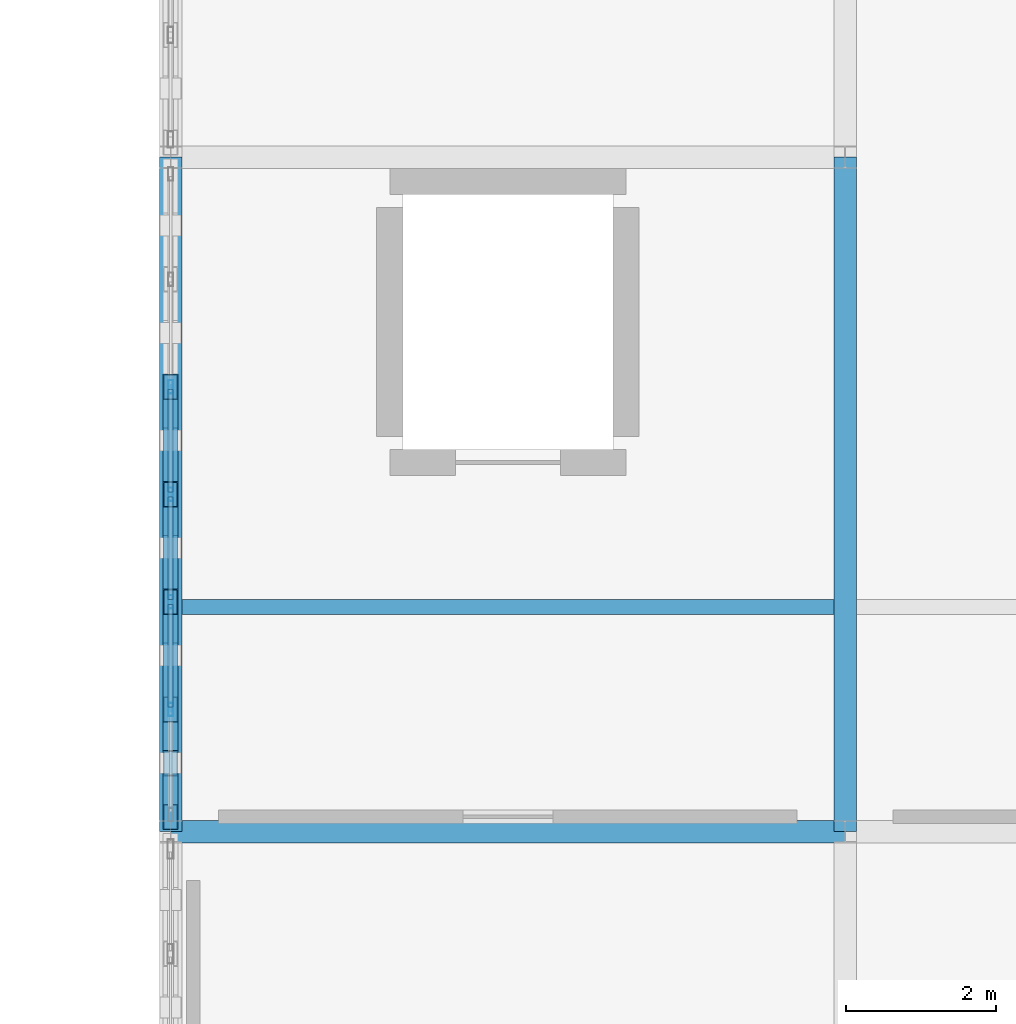
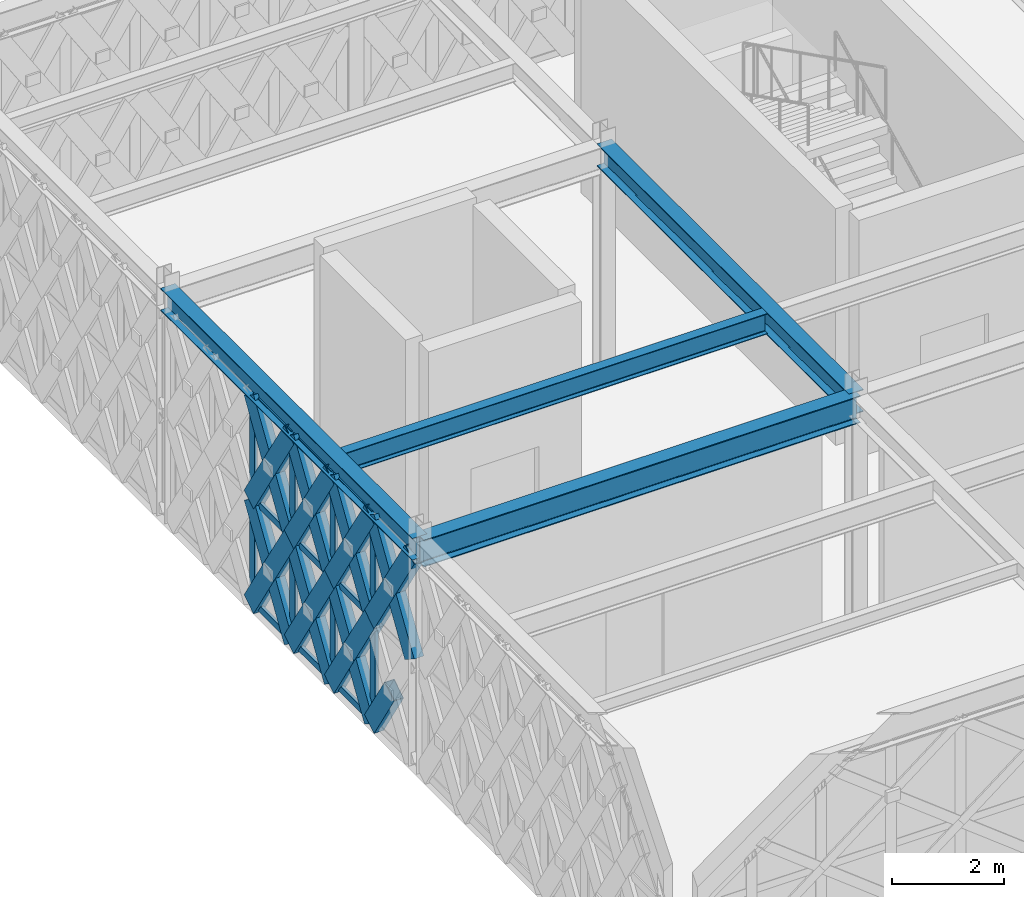
# One storey, part 79 of 155: 35 members, 4 beams, 1 element without a shape of its own.
"""IFC4 building model written with IfcOpenShell, lengths in metres."""

from ifc_helpers import new_model, si_unit, direction, frame, origin, origin_2d, place, context, subcontext, project, spatial, hollow_rectangle, i_section, extrude, material, material_profile, profile_set, type_object, element, aggregate, save


model = new_model("IFC4")

# Units and contexts
model_context = context("Model", 3, precision=1e-05, world=origin(), true_north=direction((0.0, 1.0)))
body_context = subcontext(model_context, "Body", "Model", "MODEL_VIEW")
ifc_project = project(units=[si_unit("LENGTHUNIT", "METRE"), si_unit("AREAUNIT", "SQUARE_METRE"), si_unit("VOLUMEUNIT", "CUBIC_METRE"), si_unit("PLANEANGLEUNIT", "RADIAN"), si_unit("MASSUNIT", "GRAM", prefix="KILO")], contexts=[model_context])

# Site, building, storey
site_placement = place(None, origin())
site = spatial("IfcSite", under=ifc_project, at=site_placement, CompositionType="ELEMENT")
building_placement = place(site_placement, origin())
building = spatial("IfcBuilding", under=site, at=building_placement, Name="Haizhuo Lancet Aquarium", CompositionType="ELEMENT")
storey_placement = place(building_placement, frame((0.0, 0.0, 10.800048828125)))
storey = spatial("IfcBuildingStorey", under=building, at=storey_placement, Name="L02", CompositionType="ELEMENT", Elevation=10.800048828125)

# Beams
ifc_material_1 = material(Name="Steel S355", Category="steel")
ifc_material_profile_1 = material_profile(ifc_material_1, i_section(OverallWidth=0.300048828125, OverallDepth=0.488037109375, WebThickness=0.010986328125, FlangeThickness=0.01806640625, FilletRadius=0.02392578125, at=origin_2d()), Name="HM 488x300x11x18")
ifc_profile_set_1 = profile_set([ifc_material_profile_1], Name="Steel S355")
beam_type_1 = type_object("IfcBeamType", Name="BM-ST-HM488", PredefinedType="BEAM", material=ifc_profile_set_1)
for number, where, z_axis, x_axis, name in (
    (1, (36.0, 18.0, 4.805908203125), (0.0, 1.0, 0.0), (-1.0, 0.0, 0.0), "L02 V7 primary girder BM-L02-V7-003"),
    (2, (45.0, 18.0, 4.805908203125), (0.0, 1.0, 0.0), (-1.0, 0.0, 0.0), "L02 V7 primary girder BM-L02-V7-010"),
):
    element("IfcBeam", number, at=place(storey_placement, frame(where, z_axis=z_axis, x_axis=x_axis)), inside=storey, type_object=beam_type_1, Name=name, PredefinedType="BEAM", context=body_context, shape_type="SweptSolid", body=[
        extrude(i_section(OverallWidth=0.300048828125, OverallDepth=0.488037109375, WebThickness=0.010986328125, FlangeThickness=0.01806640625, FilletRadius=0.02392578125, at=origin_2d()), origin(), (0.0, 0.0, 1.0), 9.0),
    ])
ifc_material_profile_2 = material_profile(ifc_material_1, i_section(OverallWidth=0.300048828125, OverallDepth=0.587890625, WebThickness=0.011962890625, FlangeThickness=0.02001953125, FilletRadius=0.02587890625, at=origin_2d()), Name="HM 588x300x12x20")
ifc_profile_set_2 = profile_set([ifc_material_profile_2], Name="Steel S355")
beam_type_2 = type_object("IfcBeamType", Name="BM-ST-HM588", PredefinedType="BEAM", material=ifc_profile_set_2)
beam_1_placement = place(storey_placement, frame((36.0, 18.0, 4.755859375), z_axis=(1.0, 0.0, 0.0), x_axis=(0.0, 1.0, 0.0)))
element("IfcBeam", 3, at=beam_1_placement, inside=storey, type_object=beam_type_2, Name="L02 V7 primary girder BM-L02-V7-004", PredefinedType="BEAM", context=body_context, shape_type="SweptSolid", body=[
    extrude(i_section(OverallWidth=0.300048828125, OverallDepth=0.587890625, WebThickness=0.011962890625, FlangeThickness=0.02001953125, FilletRadius=0.02587890625, at=origin_2d()), origin(), (0.0, 0.0, 1.0), 9.0),
])

# Curtain wall, members
ifc_material_2 = material(Name="Aluminium 6063-T6", Category="aluminium")
curtain_wall_type = type_object("IfcCurtainWallType", Name="CWD-8610x4560", PredefinedType="NOTDEFINED", material=ifc_material_2)
curtain_wall_placement = place(storey_placement, origin())
curtain_wall = element("IfcCurtainWall", 4, at=curtain_wall_placement, inside=storey, type_object=curtain_wall_type, Name="L02 curtain wall CW-V7-L02-310", PredefinedType="NOTDEFINED")
ifc_material_profile_3 = material_profile(ifc_material_2, hollow_rectangle(XDim=0.06494140625, YDim=0.179931640625, WallThickness=0.00390625, at=origin_2d()), Name="ALU-M 65x180x4")
ifc_profile_set_3 = profile_set([ifc_material_profile_3], Name="Aluminium 6063-T6")
member_type_1 = type_object("IfcMemberType", Name="CW-MUL-1", PredefinedType="MULLION", material=ifc_profile_set_3)
member_1_placement = place(storey_placement, frame((36.0, 19.6298828125, 0.0), z_axis=(0.0, 0.0, 1.0), x_axis=(-1.0, 0.0, 0.0)))
member_1 = element("IfcMember", 5, at=member_1_placement, type_object=member_type_1, Name="CWD-86x45 mullion 2", PredefinedType="MULLION", context=body_context, shape_type="SweptSolid", body=[
    extrude(hollow_rectangle(XDim=0.06494140625, YDim=0.179931640625, WallThickness=0.00390625, at=origin_2d()), origin(), (0.0, 0.0, 1.0), 4.56201171875),
])
member_2_placement = place(storey_placement, frame((36.0, 21.06494140625, 0.0), z_axis=(0.0, 0.0, 1.0), x_axis=(-1.0, 0.0, 0.0)))
member_2 = element("IfcMember", 6, at=member_2_placement, type_object=member_type_1, Name="CWD-86x45 mullion 3", PredefinedType="MULLION", context=body_context, shape_type="SweptSolid", body=[
    extrude(hollow_rectangle(XDim=0.06494140625, YDim=0.179931640625, WallThickness=0.00390625, at=origin_2d()), origin(), (0.0, 0.0, 1.0), 4.56201171875),
])
member_3_placement = place(storey_placement, frame((36.0, 22.5, 0.0), z_axis=(0.0, 0.0, 1.0), x_axis=(-1.0, 0.0, 0.0)))
member_3 = element("IfcMember", 7, at=member_3_placement, type_object=member_type_1, Name="CWD-86x45 mullion 4", PredefinedType="MULLION", context=body_context, shape_type="SweptSolid", body=[
    extrude(hollow_rectangle(XDim=0.06494140625, YDim=0.179931640625, WallThickness=0.00390625, at=origin_2d()), origin(), (0.0, 0.0, 1.0), 4.56201171875),
])
member_4_placement = place(storey_placement, frame((36.0, 23.93505859375, 0.0), z_axis=(0.0, 0.0, 1.0), x_axis=(-1.0, 0.0, 0.0)))
member_4 = element("IfcMember", 8, at=member_4_placement, type_object=member_type_1, Name="CWD-86x45 mullion 5", PredefinedType="MULLION", context=body_context, shape_type="SweptSolid", body=[
    extrude(hollow_rectangle(XDim=0.06494140625, YDim=0.179931640625, WallThickness=0.00390625, at=origin_2d()), origin(), (0.0, 0.0, 1.0), 4.56201171875),
])
ifc_material_profile_4 = material_profile(ifc_material_2, hollow_rectangle(XDim=0.06494140625, YDim=0.139892578125, WallThickness=0.00390625, at=origin_2d()), Name="ALU-T 65x140x4")
ifc_profile_set_4 = profile_set([ifc_material_profile_4], Name="Aluminium 6063-T6")
member_type_2 = type_object("IfcMemberType", Name="CW-TRN-1", PredefinedType="NOTDEFINED", material=ifc_profile_set_4)
member_5_placement = place(storey_placement, frame((36.0, 19.6630859375, 0.032958984375), z_axis=(0.0, 1.0, 0.0), x_axis=(-1.0, 0.0, 0.0)))
member_5 = element("IfcMember", 9, at=member_5_placement, type_object=member_type_2, Name="CWD-86x45 transom 2.1", ObjectType="TRANSOM", PredefinedType="USERDEFINED", context=body_context, shape_type="SweptSolid", body=[
    extrude(hollow_rectangle(XDim=0.06494140625, YDim=0.139892578125, WallThickness=0.00390625, at=origin_2d()), origin(), (0.0, 0.0, 1.0), 1.368896484375),
])
member_6_placement = place(storey_placement, frame((36.0, 19.6630859375, 2.281005859375), z_axis=(0.0, 1.0, 0.0), x_axis=(-1.0, 0.0, 0.0)))
member_6 = element("IfcMember", 10, at=member_6_placement, type_object=member_type_2, Name="CWD-86x45 transom 2.2", ObjectType="TRANSOM", PredefinedType="USERDEFINED", context=body_context, shape_type="SweptSolid", body=[
    extrude(hollow_rectangle(XDim=0.06494140625, YDim=0.139892578125, WallThickness=0.00390625, at=origin_2d()), origin(), (0.0, 0.0, 1.0), 1.368896484375),
])
member_7_placement = place(storey_placement, frame((36.0, 19.6630859375, 4.529052734375), z_axis=(0.0, 1.0, 0.0), x_axis=(-1.0, 0.0, 0.0)))
member_7 = element("IfcMember", 11, at=member_7_placement, type_object=member_type_2, Name="CWD-86x45 transom 2.3", ObjectType="TRANSOM", PredefinedType="USERDEFINED", context=body_context, shape_type="SweptSolid", body=[
    extrude(hollow_rectangle(XDim=0.06494140625, YDim=0.139892578125, WallThickness=0.00390625, at=origin_2d()), origin(), (0.0, 0.0, 1.0), 1.368896484375),
])
member_8_placement = place(storey_placement, frame((36.0, 21.097900390625, 0.032958984375), z_axis=(0.0, 1.0, 0.0), x_axis=(-1.0, 0.0, 0.0)))
member_8 = element("IfcMember", 12, at=member_8_placement, type_object=member_type_2, Name="CWD-86x45 transom 3.1", ObjectType="TRANSOM", PredefinedType="USERDEFINED", context=body_context, shape_type="SweptSolid", body=[
    extrude(hollow_rectangle(XDim=0.06494140625, YDim=0.139892578125, WallThickness=0.00390625, at=origin_2d()), origin(), (0.0, 0.0, 1.0), 1.3701171875),
])
member_9_placement = place(storey_placement, frame((36.0, 21.097900390625, 2.281005859375), z_axis=(0.0, 1.0, 0.0), x_axis=(-1.0, 0.0, 0.0)))
member_9 = element("IfcMember", 13, at=member_9_placement, type_object=member_type_2, Name="CWD-86x45 transom 3.2", ObjectType="TRANSOM", PredefinedType="USERDEFINED", context=body_context, shape_type="SweptSolid", body=[
    extrude(hollow_rectangle(XDim=0.06494140625, YDim=0.139892578125, WallThickness=0.00390625, at=origin_2d()), origin(), (0.0, 0.0, 1.0), 1.3701171875),
])
member_10_placement = place(storey_placement, frame((36.0, 21.097900390625, 4.529052734375), z_axis=(0.0, 1.0, 0.0), x_axis=(-1.0, 0.0, 0.0)))
member_10 = element("IfcMember", 14, at=member_10_placement, type_object=member_type_2, Name="CWD-86x45 transom 3.3", ObjectType="TRANSOM", PredefinedType="USERDEFINED", context=body_context, shape_type="SweptSolid", body=[
    extrude(hollow_rectangle(XDim=0.06494140625, YDim=0.139892578125, WallThickness=0.00390625, at=origin_2d()), origin(), (0.0, 0.0, 1.0), 1.3701171875),
])
member_11_placement = place(storey_placement, frame((36.0, 22.531982421875, 0.032958984375), z_axis=(0.0, 1.0, 0.0), x_axis=(-1.0, 0.0, 0.0)))
member_11 = element("IfcMember", 15, at=member_11_placement, type_object=member_type_2, Name="CWD-86x45 transom 4.1", ObjectType="TRANSOM", PredefinedType="USERDEFINED", context=body_context, shape_type="SweptSolid", body=[
    extrude(hollow_rectangle(XDim=0.06494140625, YDim=0.139892578125, WallThickness=0.00390625, at=origin_2d()), origin(), (0.0, 0.0, 1.0), 1.3701171875),
])
member_12_placement = place(storey_placement, frame((36.0, 22.531982421875, 2.281005859375), z_axis=(0.0, 1.0, 0.0), x_axis=(-1.0, 0.0, 0.0)))
member_12 = element("IfcMember", 16, at=member_12_placement, type_object=member_type_2, Name="CWD-86x45 transom 4.2", ObjectType="TRANSOM", PredefinedType="USERDEFINED", context=body_context, shape_type="SweptSolid", body=[
    extrude(hollow_rectangle(XDim=0.06494140625, YDim=0.139892578125, WallThickness=0.00390625, at=origin_2d()), origin(), (0.0, 0.0, 1.0), 1.3701171875),
])
member_13_placement = place(storey_placement, frame((36.0, 22.531982421875, 4.529052734375), z_axis=(0.0, 1.0, 0.0), x_axis=(-1.0, 0.0, 0.0)))
member_13 = element("IfcMember", 17, at=member_13_placement, type_object=member_type_2, Name="CWD-86x45 transom 4.3", ObjectType="TRANSOM", PredefinedType="USERDEFINED", context=body_context, shape_type="SweptSolid", body=[
    extrude(hollow_rectangle(XDim=0.06494140625, YDim=0.139892578125, WallThickness=0.00390625, at=origin_2d()), origin(), (0.0, 0.0, 1.0), 1.3701171875),
])
aggregate(curtain_wall, [member_1, member_2, member_3, member_4, member_5, member_6, member_7, member_8, member_9, member_10, member_11, member_12, member_13])

# Beam
ifc_material_profile_5 = material_profile(ifc_material_1, i_section(OverallWidth=0.199951171875, OverallDepth=0.449951171875, WebThickness=0.009033203125, FlangeThickness=0.013916015625, FilletRadius=0.01806640625, at=origin_2d()), Name="HN 450x200x9x14")
ifc_profile_set_5 = profile_set([ifc_material_profile_5], Name="Steel S355")
beam_type_3 = type_object("IfcBeamType", Name="JST-ST-HN450", PredefinedType="JOIST", material=ifc_profile_set_5)
beam_2_placement = place(storey_placement, frame((36.14990234375, 21.0, 4.824951171875), z_axis=(1.0, 0.0, 0.0), x_axis=(0.0, 1.0, 0.0)))
element("IfcBeam", 18, at=beam_2_placement, inside=storey, type_object=beam_type_3, Name="L02 V7 secondary floor joist 3", PredefinedType="JOIST", context=body_context, shape_type="SweptSolid", body=[
    extrude(i_section(OverallWidth=0.199951171875, OverallDepth=0.449951171875, WebThickness=0.009033203125, FlangeThickness=0.013916015625, FilletRadius=0.01806640625, at=origin_2d()), origin(), (0.0, 0.0, 1.0), 8.7001953125),
])

# Members
ifc_material_profile_6 = material_profile(ifc_material_1, hollow_rectangle(XDim=0.199951171875, YDim=0.39990234375, WallThickness=0.011962890625, at=origin_2d()), Name="RHS 200x400x12")
ifc_profile_set_6 = profile_set([ifc_material_profile_6], Name="Steel S355")
member_type_3 = type_object("IfcMemberType", Name="MEM-LB-RHS200x400", PredefinedType="BRACE", material=ifc_profile_set_6)
member_14_placement = place(storey_placement, frame((36.0, 19.6298828125, 0.0), z_axis=(0.0, -0.532000831826, 0.846743830764), x_axis=(1.0, 0.0, 0.0)))
element("IfcMember", 19, at=member_14_placement, inside=storey, type_object=member_type_3, Name="Gothic lancet split diagonal brace CW-V7-L02-310 1B1", PredefinedType="BRACE", context=body_context, shape_type="SweptSolid", body=[
    extrude(hollow_rectangle(XDim=0.199951171875, YDim=0.39990234375, WallThickness=0.011962890625, at=origin_2d()), origin(), (0.0, 0.0, 1.0), 1.347412109375),
])
member_15_placement = place(storey_placement, frame((36.0, 18.195068359375, 2.281005859375), z_axis=(0.0, 0.532447977761, 0.846462728641), x_axis=(-1.0, 0.0, 0.0)))
element("IfcMember", 20, at=member_15_placement, inside=storey, type_object=member_type_3, Name="Gothic lancet continuous diagonal brace CW-V7-L02-310 2A", PredefinedType="BRACE", context=body_context, shape_type="SweptSolid", body=[
    extrude(hollow_rectangle(XDim=0.199951171875, YDim=0.39990234375, WallThickness=0.011962890625, at=origin_2d()), origin(), (0.0, 0.0, 1.0), 2.69482421875),
])
member_16_placement = place(storey_placement, frame((36.0, 19.6298828125, 2.281005859375), z_axis=(0.0, -0.532327490763, 0.846538506258), x_axis=(1.0, 0.0, 0.0)))
element("IfcMember", 21, at=member_16_placement, inside=storey, type_object=member_type_3, Name="Gothic lancet split diagonal brace CW-V7-L02-310 2B1", PredefinedType="BRACE", context=body_context, shape_type="SweptSolid", body=[
    extrude(hollow_rectangle(XDim=0.199951171875, YDim=0.39990234375, WallThickness=0.011962890625, at=origin_2d()), origin(), (0.0, 0.0, 1.0), 1.346435546875),
])
member_17_placement = place(storey_placement, frame((36.0, 18.9130859375, 3.4208984375), z_axis=(0.0, -0.532568303565, 0.846387028515), x_axis=(1.0, 0.0, 0.0)))
element("IfcMember", 22, at=member_17_placement, inside=storey, type_object=member_type_3, Name="Gothic lancet split diagonal brace CW-V7-L02-310 2B2", PredefinedType="BRACE", context=body_context, shape_type="SweptSolid", body=[
    extrude(hollow_rectangle(XDim=0.199951171875, YDim=0.39990234375, WallThickness=0.011962890625, at=origin_2d()), origin(), (0.0, 0.0, 1.0), 1.34814453125),
])
member_18_placement = place(storey_placement, frame((36.0, 19.6298828125, 0.0), z_axis=(0.0, 0.532512886885, 0.846421895571), x_axis=(-1.0, 0.0, 0.0)))
element("IfcMember", 23, at=member_18_placement, inside=storey, type_object=member_type_3, Name="Gothic lancet continuous diagonal brace CW-V7-L02-310 3A", PredefinedType="BRACE", context=body_context, shape_type="SweptSolid", body=[
    extrude(hollow_rectangle(XDim=0.199951171875, YDim=0.39990234375, WallThickness=0.011962890625, at=origin_2d()), origin(), (0.0, 0.0, 1.0), 2.69482421875),
])
for number, where, z_axis, x_axis, name in (
    (24, (36.0, 21.06494140625, 0.0), (0.0, -0.532130728354, 0.846662204153), (1.0, 0.0, 0.0), "Gothic lancet split diagonal brace CW-V7-L02-310 3B1"),
    (25, (36.0, 20.347900390625, 1.140869140625), (0.0, -0.532894965217, 0.846181396656), (1.0, 0.0, 0.0), "Gothic lancet split diagonal brace CW-V7-L02-310 3B2"),
):
    element("IfcMember", number, at=place(storey_placement, frame(where, z_axis=z_axis, x_axis=x_axis)), inside=storey, type_object=member_type_3, Name=name, PredefinedType="BRACE", context=body_context, shape_type="SweptSolid", body=[
        extrude(hollow_rectangle(XDim=0.199951171875, YDim=0.39990234375, WallThickness=0.011962890625, at=origin_2d()), origin(), (0.0, 0.0, 1.0), 1.347412109375),
    ])
member_19_placement = place(storey_placement, frame((36.0, 19.6298828125, 2.281005859375), z_axis=(0.0, 0.532512886885, 0.846421895571), x_axis=(-1.0, 0.0, 0.0)))
element("IfcMember", 26, at=member_19_placement, inside=storey, type_object=member_type_3, Name="Gothic lancet continuous diagonal brace CW-V7-L02-310 4A", PredefinedType="BRACE", context=body_context, shape_type="SweptSolid", body=[
    extrude(hollow_rectangle(XDim=0.199951171875, YDim=0.39990234375, WallThickness=0.011962890625, at=origin_2d()), origin(), (0.0, 0.0, 1.0), 2.69482421875),
])
member_20_placement = place(storey_placement, frame((36.0, 21.06494140625, 2.281005859375), z_axis=(0.0, -0.532457404, 0.846456799208), x_axis=(1.0, 0.0, 0.0)))
element("IfcMember", 27, at=member_20_placement, inside=storey, type_object=member_type_3, Name="Gothic lancet split diagonal brace CW-V7-L02-310 4B1", PredefinedType="BRACE", context=body_context, shape_type="SweptSolid", body=[
    extrude(hollow_rectangle(XDim=0.199951171875, YDim=0.39990234375, WallThickness=0.011962890625, at=origin_2d()), origin(), (0.0, 0.0, 1.0), 1.3466796875),
])
member_21_placement = place(storey_placement, frame((36.0, 20.347900390625, 3.4208984375), z_axis=(0.0, -0.532568303565, 0.846387028515), x_axis=(1.0, 0.0, 0.0)))
element("IfcMember", 28, at=member_21_placement, inside=storey, type_object=member_type_3, Name="Gothic lancet split diagonal brace CW-V7-L02-310 4B2", PredefinedType="BRACE", context=body_context, shape_type="SweptSolid", body=[
    extrude(hollow_rectangle(XDim=0.199951171875, YDim=0.39990234375, WallThickness=0.011962890625, at=origin_2d()), origin(), (0.0, 0.0, 1.0), 1.34814453125),
])
member_22_placement = place(storey_placement, frame((36.0, 21.06494140625, 0.0), z_axis=(0.0, 0.532512886885, 0.846421895571), x_axis=(-1.0, 0.0, 0.0)))
element("IfcMember", 29, at=member_22_placement, inside=storey, type_object=member_type_3, Name="Gothic lancet continuous diagonal brace CW-V7-L02-310 5A", PredefinedType="BRACE", context=body_context, shape_type="SweptSolid", body=[
    extrude(hollow_rectangle(XDim=0.199951171875, YDim=0.39990234375, WallThickness=0.011962890625, at=origin_2d()), origin(), (0.0, 0.0, 1.0), 2.69482421875),
])
member_23_placement = place(storey_placement, frame((36.0, 22.5, 0.0), z_axis=(0.0, -0.532649938865, 0.846335656006), x_axis=(1.0, 0.0, 0.0)))
element("IfcMember", 30, at=member_23_placement, inside=storey, type_object=member_type_3, Name="Gothic lancet split diagonal brace CW-V7-L02-310 5B1", PredefinedType="BRACE", context=body_context, shape_type="SweptSolid", body=[
    extrude(hollow_rectangle(XDim=0.199951171875, YDim=0.39990234375, WallThickness=0.011962890625, at=origin_2d()), origin(), (0.0, 0.0, 1.0), 1.347900390625),
])
member_24_placement = place(storey_placement, frame((36.0, 21.781982421875, 1.140869140625), z_axis=(0.0, -0.532375704926, 0.846508185905), x_axis=(1.0, 0.0, 0.0)))
element("IfcMember", 31, at=member_24_placement, inside=storey, type_object=member_type_3, Name="Gothic lancet split diagonal brace CW-V7-L02-310 5B2", PredefinedType="BRACE", context=body_context, shape_type="SweptSolid", body=[
    extrude(hollow_rectangle(XDim=0.199951171875, YDim=0.39990234375, WallThickness=0.011962890625, at=origin_2d()), origin(), (0.0, 0.0, 1.0), 1.346923828125),
])
member_25_placement = place(storey_placement, frame((36.0, 21.06494140625, 2.281005859375), z_axis=(0.0, 0.532512886885, 0.846421895571), x_axis=(-1.0, 0.0, 0.0)))
element("IfcMember", 32, at=member_25_placement, inside=storey, type_object=member_type_3, Name="Gothic lancet continuous diagonal brace CW-V7-L02-310 6A", PredefinedType="BRACE", context=body_context, shape_type="SweptSolid", body=[
    extrude(hollow_rectangle(XDim=0.199951171875, YDim=0.39990234375, WallThickness=0.011962890625, at=origin_2d()), origin(), (0.0, 0.0, 1.0), 2.69482421875),
])
member_26_placement = place(storey_placement, frame((36.0, 22.5, 2.281005859375), z_axis=(0.0, -0.532976680835, 0.846129929554), x_axis=(1.0, 0.0, 0.0)))
element("IfcMember", 33, at=member_26_placement, inside=storey, type_object=member_type_3, Name="Gothic lancet split diagonal brace CW-V7-L02-310 6B1", PredefinedType="BRACE", context=body_context, shape_type="SweptSolid", body=[
    extrude(hollow_rectangle(XDim=0.199951171875, YDim=0.39990234375, WallThickness=0.011962890625, at=origin_2d()), origin(), (0.0, 0.0, 1.0), 1.34716796875),
])
member_27_placement = place(storey_placement, frame((36.0, 21.781982421875, 3.4208984375), z_axis=(0.0, -0.532049109697, 0.846713496332), x_axis=(1.0, 0.0, 0.0)))
element("IfcMember", 34, at=member_27_placement, inside=storey, type_object=member_type_3, Name="Gothic lancet split diagonal brace CW-V7-L02-310 6B2", PredefinedType="BRACE", context=body_context, shape_type="SweptSolid", body=[
    extrude(hollow_rectangle(XDim=0.199951171875, YDim=0.39990234375, WallThickness=0.011962890625, at=origin_2d()), origin(), (0.0, 0.0, 1.0), 1.34765625),
])
member_28_placement = place(storey_placement, frame((36.0, 22.5, 0.0), z_axis=(0.0, 0.532512886885, 0.846421895571), x_axis=(-1.0, 0.0, 0.0)))
element("IfcMember", 35, at=member_28_placement, inside=storey, type_object=member_type_3, Name="Gothic lancet continuous diagonal brace CW-V7-L02-310 7A", PredefinedType="BRACE", context=body_context, shape_type="SweptSolid", body=[
    extrude(hollow_rectangle(XDim=0.199951171875, YDim=0.39990234375, WallThickness=0.011962890625, at=origin_2d()), origin(), (0.0, 0.0, 1.0), 2.69482421875),
])
for number, where, z_axis, x_axis, name in (
    (36, (36.0, 23.93505859375, 0.0), (0.0, -0.532130728354, 0.846662204153), (1.0, 0.0, 0.0), "Gothic lancet split diagonal brace CW-V7-L02-310 7B1"),
    (37, (36.0, 23.218017578125, 1.140869140625), (0.0, -0.532894965217, 0.846181396656), (1.0, 0.0, 0.0), "Gothic lancet split diagonal brace CW-V7-L02-310 7B2"),
):
    element("IfcMember", number, at=place(storey_placement, frame(where, z_axis=z_axis, x_axis=x_axis)), inside=storey, type_object=member_type_3, Name=name, PredefinedType="BRACE", context=body_context, shape_type="SweptSolid", body=[
        extrude(hollow_rectangle(XDim=0.199951171875, YDim=0.39990234375, WallThickness=0.011962890625, at=origin_2d()), origin(), (0.0, 0.0, 1.0), 1.347412109375),
    ])
member_29_placement = place(storey_placement, frame((36.0, 22.5, 2.281005859375), z_axis=(0.0, 0.532512886885, 0.846421895571), x_axis=(-1.0, 0.0, 0.0)))
element("IfcMember", 38, at=member_29_placement, inside=storey, type_object=member_type_3, Name="Gothic lancet continuous diagonal brace CW-V7-L02-310 8A", PredefinedType="BRACE", context=body_context, shape_type="SweptSolid", body=[
    extrude(hollow_rectangle(XDim=0.199951171875, YDim=0.39990234375, WallThickness=0.011962890625, at=origin_2d()), origin(), (0.0, 0.0, 1.0), 2.69482421875),
])
member_30_placement = place(storey_placement, frame((36.0, 23.93505859375, 2.281005859375), z_axis=(0.0, -0.532457404, 0.846456799208), x_axis=(1.0, 0.0, 0.0)))
element("IfcMember", 39, at=member_30_placement, inside=storey, type_object=member_type_3, Name="Gothic lancet split diagonal brace CW-V7-L02-310 8B1", PredefinedType="BRACE", context=body_context, shape_type="SweptSolid", body=[
    extrude(hollow_rectangle(XDim=0.199951171875, YDim=0.39990234375, WallThickness=0.011962890625, at=origin_2d()), origin(), (0.0, 0.0, 1.0), 1.3466796875),
])
member_31_placement = place(storey_placement, frame((36.0, 23.218017578125, 3.4208984375), z_axis=(0.0, -0.532568303565, 0.846387028515), x_axis=(1.0, 0.0, 0.0)))
element("IfcMember", 40, at=member_31_placement, inside=storey, type_object=member_type_3, Name="Gothic lancet split diagonal brace CW-V7-L02-310 8B2", PredefinedType="BRACE", context=body_context, shape_type="SweptSolid", body=[
    extrude(hollow_rectangle(XDim=0.199951171875, YDim=0.39990234375, WallThickness=0.011962890625, at=origin_2d()), origin(), (0.0, 0.0, 1.0), 1.34814453125),
])

save(model, "model.ifc")
